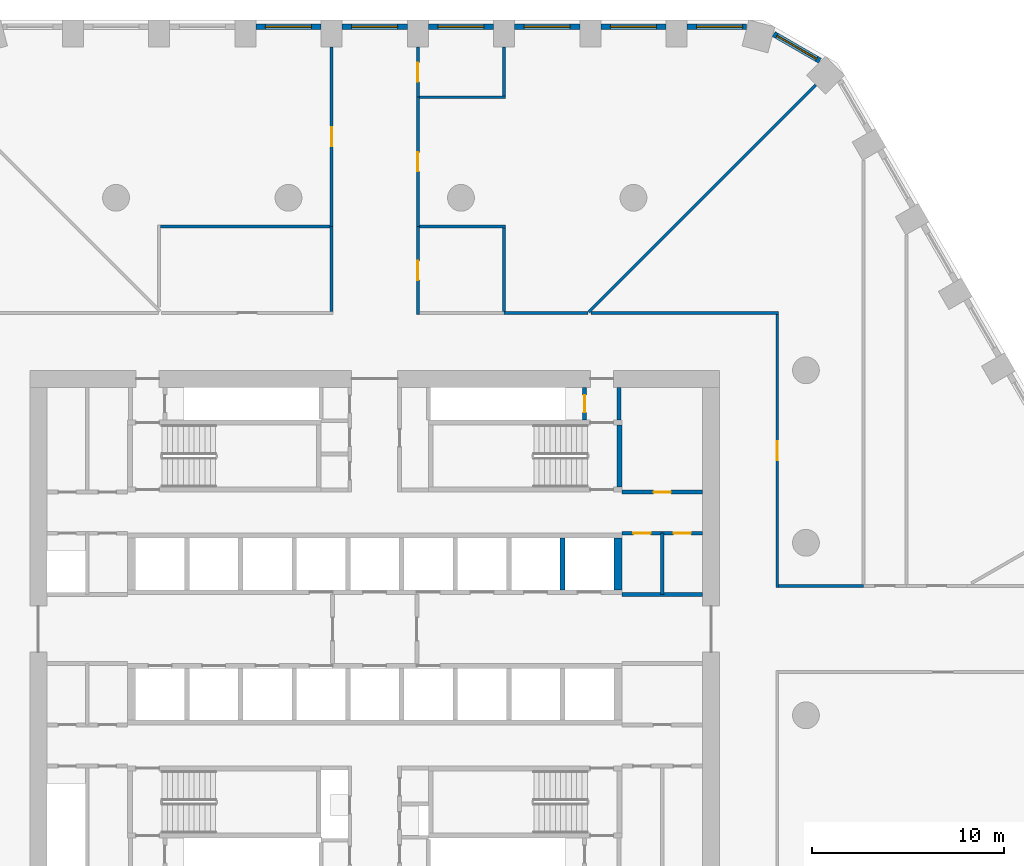
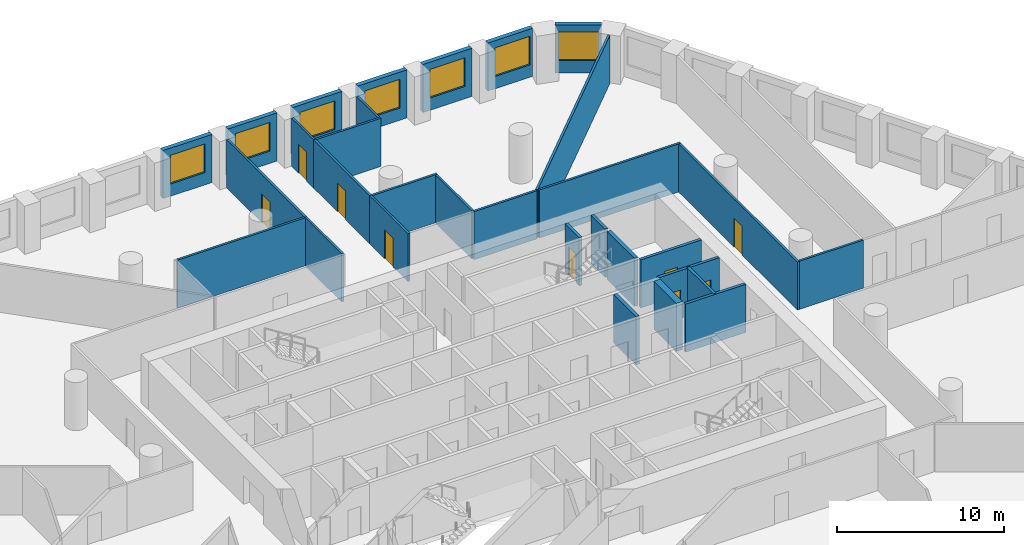
# One storey, part 7 of 10: 31 walls, 9 doors, 7 windows, 16 openings.
"""IFC4 building model written with IfcOpenShell, lengths in metres."""

from ifc_helpers import new_model, si_unit, direction, frame, frame_2d, origin, place, context, subcontext, project, spatial, polyline, rectangle, outline, extrude, material, layer, layer_set, type_object, element, fill, save


model = new_model("IFC4")

# Units and contexts
model_context = context("Model", 3, precision=1e-05, world=origin(), true_north=direction((0.0, 1.0)))
body_context = subcontext(model_context, "Body", "Model", "MODEL_VIEW")
ifc_project = project(units=[si_unit("LENGTHUNIT", "METRE"), si_unit("AREAUNIT", "SQUARE_METRE"), si_unit("VOLUMEUNIT", "CUBIC_METRE"), si_unit("PLANEANGLEUNIT", "RADIAN"), si_unit("MASSUNIT", "GRAM", prefix="KILO")], contexts=[model_context])

# Site, building, storey
site_placement = place(None, origin())
site = spatial("IfcSite", under=ifc_project, at=site_placement, CompositionType="ELEMENT")
building_placement = place(site_placement, origin())
building = spatial("IfcBuilding", under=site, at=building_placement, Name="Dhurran Vertical Campus", CompositionType="ELEMENT")
storey_placement = place(building_placement, frame((0.0, 0.0, 57.300048828125)))
storey = spatial("IfcBuildingStorey", under=building, at=storey_placement, Name="L13", CompositionType="ELEMENT", Elevation=57.300048828125)

# Wall, opening, window
ifc_material_1 = material(Name="Precast concrete C50/60", Category="concrete")
ifc_layer_1 = layer(ifc_material_1, 0.300048828125)
ifc_layer_set_1 = layer_set([ifc_layer_1], Name="Precast concrete C50/60")
wall_type_1 = type_object("IfcWallType", Name="Precast spandrel wall 300", PredefinedType="SOLIDWALL", material=ifc_layer_set_1)
wall_1_placement = place(storey_placement, frame((23.228271484375, 29.656005859375, 0.0), z_axis=(0.0, 0.0, 1.0), x_axis=(-0.866020456713, 0.500008568482, 0.0)))
wall_1 = element("IfcWall", 1, at=wall_1_placement, inside=storey, type_object=wall_type_1, Name="EW1 L13.25", PredefinedType="SOLIDWALL", context=body_context, shape_type="SweptSolid", body=[
    extrude(rectangle(XDim=2.7822265625, YDim=0.300048828125, at=frame_2d((1.39111328125, 0.0))), origin(), (0.0, 0.0, 1.0), 3.52490234375),
])
opening_1_placement = place(wall_1_placement, frame((0.191162109375, 0.0, 0.89990234375)))
opening_1 = element("IfcOpeningElement", 2, at=opening_1_placement, cuts=wall_1, Name="Opening WT1", PredefinedType="OPENING", context=body_context, shape_type="SweptSolid", body=[
    extrude(rectangle(XDim=2.39990234375, YDim=2.10009765625, at=frame_2d((1.199951171875, 1.050048828125))), frame((0.0, 0.159912109375, 0.0), z_axis=(0.0, -1.0, 0.0), x_axis=(1.0, 0.0, 0.0)), (0.0, 0.0, 1.0), 0.320068359375),
])
ifc_material_2 = material(Name="Aluminium frame with solar-control glass", Category="aluminium")
window_type = type_object("IfcWindowType", Name="Punched window 2400 x 2100", PartitioningType="SINGLE_PANEL", PredefinedType="WINDOW", material=ifc_material_2)
window_1_placement = place(opening_1_placement, origin())
window_1 = element("IfcWindow", 3, at=window_1_placement, inside=storey, type_object=window_type, Name="WT1 L13.25", OverallHeight=2.10009765625, OverallWidth=2.39990234375, PartitioningType="SINGLE_PANEL", PredefinedType="WINDOW", context=body_context, shape_type="SweptSolid", body=[
    extrude(rectangle(XDim=2.39990234375, YDim=2.10009765625, at=frame_2d((1.199951171875, 1.050048828125))), frame((0.0, 0.030029296875, 0.0), z_axis=(0.0, -1.0, 0.0), x_axis=(1.0, 0.0, 0.0)), (0.0, 0.0, 1.0), 0.06005859375),
])
fill(opening_1, window_1)

wall_2_placement = place(storey_placement, frame((19.39111328125, 31.4296875, 0.0), z_axis=(0.0, 0.0, 1.0), x_axis=(-1.0, 0.0, 0.0)))
wall_2 = element("IfcWall", 4, at=wall_2_placement, inside=storey, type_object=wall_type_1, Name="EW1 L13.26", PredefinedType="SOLIDWALL", context=body_context, shape_type="SweptSolid", body=[
    extrude(rectangle(XDim=3.090576171875, YDim=0.300048828125, at=frame_2d((1.54541015625, 0.0))), origin(), (0.0, 0.0, 1.0), 3.52490234375),
])
opening_2_placement = place(wall_2_placement, frame((0.191162109375, 0.0, 0.89990234375)))
opening_2 = element("IfcOpeningElement", 5, at=opening_2_placement, cuts=wall_2, Name="Opening WT1", PredefinedType="OPENING", context=body_context, shape_type="SweptSolid", body=[
    extrude(rectangle(XDim=2.39990234375, YDim=2.10009765625, at=frame_2d((1.199951171875, 1.050048828125))), frame((0.0, 0.159912109375, 0.0), z_axis=(0.0, -1.0, 0.0), x_axis=(1.0, 0.0, 0.0)), (0.0, 0.0, 1.0), 0.320068359375),
])
window_2_placement = place(opening_2_placement, origin())
window_2 = element("IfcWindow", 6, at=window_2_placement, inside=storey, type_object=window_type, Name="WT1 L13.26", OverallHeight=2.10009765625, OverallWidth=2.39990234375, PartitioningType="SINGLE_PANEL", PredefinedType="WINDOW", context=body_context, shape_type="SweptSolid", body=[
    extrude(rectangle(XDim=2.39990234375, YDim=2.10009765625, at=frame_2d((1.199951171875, 1.050048828125))), frame((0.0, 0.030029296875, 0.0), z_axis=(0.0, -1.0, 0.0), x_axis=(1.0, 0.0, 0.0)), (0.0, 0.0, 1.0), 0.06005859375),
])
fill(opening_2, window_2)

wall_3_placement = place(storey_placement, frame((15.199462890625, 31.4296875, 0.0), z_axis=(0.0, 0.0, 1.0), x_axis=(-1.0, 0.0, 0.0)))
wall_3 = element("IfcWall", 7, at=wall_3_placement, inside=storey, type_object=wall_type_1, Name="EW1 L13.27", PredefinedType="SOLIDWALL", context=body_context, shape_type="SweptSolid", body=[
    extrude(rectangle(XDim=3.39892578125, YDim=0.300048828125, at=frame_2d((1.699462890625, 0.0))), origin(), (0.0, 0.0, 1.0), 3.52490234375),
])
opening_3_placement = place(wall_3_placement, frame((0.49951171875, 0.0, 0.89990234375)))
opening_3 = element("IfcOpeningElement", 8, at=opening_3_placement, cuts=wall_3, Name="Opening WT1", PredefinedType="OPENING", context=body_context, shape_type="SweptSolid", body=[
    extrude(rectangle(XDim=2.39990234375, YDim=2.10009765625, at=frame_2d((1.199951171875, 1.050048828125))), frame((0.0, 0.159912109375, 0.0), z_axis=(0.0, -1.0, 0.0), x_axis=(1.0, 0.0, 0.0)), (0.0, 0.0, 1.0), 0.320068359375),
])
window_3_placement = place(opening_3_placement, origin())
window_3 = element("IfcWindow", 9, at=window_3_placement, inside=storey, type_object=window_type, Name="WT1 L13.27", OverallHeight=2.10009765625, OverallWidth=2.39990234375, PartitioningType="SINGLE_PANEL", PredefinedType="WINDOW", context=body_context, shape_type="SweptSolid", body=[
    extrude(rectangle(XDim=2.39990234375, YDim=2.10009765625, at=frame_2d((1.199951171875, 1.050048828125))), frame((0.0, 0.030029296875, 0.0), z_axis=(0.0, -1.0, 0.0), x_axis=(1.0, 0.0, 0.0)), (0.0, 0.0, 1.0), 0.06005859375),
])
fill(opening_3, window_3)

wall_4_placement = place(storey_placement, frame((10.699462890625, 31.4296875, 0.0), z_axis=(0.0, 0.0, 1.0), x_axis=(-1.0, 0.0, 0.0)))
wall_4 = element("IfcWall", 10, at=wall_4_placement, inside=storey, type_object=wall_type_1, Name="EW1 L13.28", PredefinedType="SOLIDWALL", context=body_context, shape_type="SweptSolid", body=[
    extrude(rectangle(XDim=3.39892578125, YDim=0.300048828125, at=frame_2d((1.699462890625, 0.0))), origin(), (0.0, 0.0, 1.0), 3.52490234375),
])
opening_4_placement = place(wall_4_placement, frame((0.49951171875, 0.0, 0.89990234375)))
opening_4 = element("IfcOpeningElement", 11, at=opening_4_placement, cuts=wall_4, Name="Opening WT1", PredefinedType="OPENING", context=body_context, shape_type="SweptSolid", body=[
    extrude(rectangle(XDim=2.39990234375, YDim=2.10009765625, at=frame_2d((1.199951171875, 1.050048828125))), frame((0.0, 0.159912109375, 0.0), z_axis=(0.0, -1.0, 0.0), x_axis=(1.0, 0.0, 0.0)), (0.0, 0.0, 1.0), 0.320068359375),
])
window_4_placement = place(opening_4_placement, origin())
window_4 = element("IfcWindow", 12, at=window_4_placement, inside=storey, type_object=window_type, Name="WT1 L13.28", OverallHeight=2.10009765625, OverallWidth=2.39990234375, PartitioningType="SINGLE_PANEL", PredefinedType="WINDOW", context=body_context, shape_type="SweptSolid", body=[
    extrude(rectangle(XDim=2.39990234375, YDim=2.10009765625, at=frame_2d((1.199951171875, 1.050048828125))), frame((0.0, 0.030029296875, 0.0), z_axis=(0.0, -1.0, 0.0), x_axis=(1.0, 0.0, 0.0)), (0.0, 0.0, 1.0), 0.06005859375),
])
fill(opening_4, window_4)

wall_5_placement = place(storey_placement, frame((6.199462890625, 31.4296875, 0.0), z_axis=(0.0, 0.0, 1.0), x_axis=(-1.0, 0.0, 0.0)))
wall_5 = element("IfcWall", 13, at=wall_5_placement, inside=storey, type_object=wall_type_1, Name="EW1 L13.29", PredefinedType="SOLIDWALL", context=body_context, shape_type="SweptSolid", body=[
    extrude(rectangle(XDim=3.39892578125, YDim=0.300048828125, at=frame_2d((1.699462890625, 0.0))), origin(), (0.0, 0.0, 1.0), 3.52490234375),
])
opening_5_placement = place(wall_5_placement, frame((0.49951171875, 0.0, 0.89990234375)))
opening_5 = element("IfcOpeningElement", 14, at=opening_5_placement, cuts=wall_5, Name="Opening WT1", PredefinedType="OPENING", context=body_context, shape_type="SweptSolid", body=[
    extrude(rectangle(XDim=2.39990234375, YDim=2.10009765625, at=frame_2d((1.199951171875, 1.050048828125))), frame((0.0, 0.159912109375, 0.0), z_axis=(0.0, -1.0, 0.0), x_axis=(1.0, 0.0, 0.0)), (0.0, 0.0, 1.0), 0.320068359375),
])
window_5_placement = place(opening_5_placement, origin())
window_5 = element("IfcWindow", 15, at=window_5_placement, inside=storey, type_object=window_type, Name="WT1 L13.29", OverallHeight=2.10009765625, OverallWidth=2.39990234375, PartitioningType="SINGLE_PANEL", PredefinedType="WINDOW", context=body_context, shape_type="SweptSolid", body=[
    extrude(rectangle(XDim=2.39990234375, YDim=2.10009765625, at=frame_2d((1.199951171875, 1.050048828125))), frame((0.0, 0.030029296875, 0.0), z_axis=(0.0, -1.0, 0.0), x_axis=(1.0, 0.0, 0.0)), (0.0, 0.0, 1.0), 0.06005859375),
])
fill(opening_5, window_5)

wall_6_placement = place(storey_placement, frame((1.699462890625, 31.4296875, 0.0), z_axis=(0.0, 0.0, 1.0), x_axis=(-1.0, 0.0, 0.0)))
wall_6 = element("IfcWall", 16, at=wall_6_placement, inside=storey, type_object=wall_type_1, Name="EW1 L13.30", PredefinedType="SOLIDWALL", context=body_context, shape_type="SweptSolid", body=[
    extrude(rectangle(XDim=3.39892578125, YDim=0.300048828125, at=frame_2d((1.699462890625, 0.0))), origin(), (0.0, 0.0, 1.0), 3.52490234375),
])
opening_6_placement = place(wall_6_placement, frame((0.49951171875, 0.0, 0.89990234375)))
opening_6 = element("IfcOpeningElement", 17, at=opening_6_placement, cuts=wall_6, Name="Opening WT1", PredefinedType="OPENING", context=body_context, shape_type="SweptSolid", body=[
    extrude(rectangle(XDim=2.39990234375, YDim=2.10009765625, at=frame_2d((1.199951171875, 1.050048828125))), frame((0.0, 0.159912109375, 0.0), z_axis=(0.0, -1.0, 0.0), x_axis=(1.0, 0.0, 0.0)), (0.0, 0.0, 1.0), 0.320068359375),
])
window_6_placement = place(opening_6_placement, origin())
window_6 = element("IfcWindow", 18, at=window_6_placement, inside=storey, type_object=window_type, Name="WT1 L13.30", OverallHeight=2.10009765625, OverallWidth=2.39990234375, PartitioningType="SINGLE_PANEL", PredefinedType="WINDOW", context=body_context, shape_type="SweptSolid", body=[
    extrude(rectangle(XDim=2.39990234375, YDim=2.10009765625, at=frame_2d((1.199951171875, 1.050048828125))), frame((0.0, 0.030029296875, 0.0), z_axis=(0.0, -1.0, 0.0), x_axis=(1.0, 0.0, 0.0)), (0.0, 0.0, 1.0), 0.06005859375),
])
fill(opening_6, window_6)

wall_7_placement = place(storey_placement, frame((-2.800537109375, 31.4296875, 0.0), z_axis=(0.0, 0.0, 1.0), x_axis=(-1.0, 0.0, 0.0)))
wall_7 = element("IfcWall", 19, at=wall_7_placement, inside=storey, type_object=wall_type_1, Name="EW1 L13.31", PredefinedType="SOLIDWALL", context=body_context, shape_type="SweptSolid", body=[
    extrude(rectangle(XDim=3.39892578125, YDim=0.300048828125, at=frame_2d((1.699462890625, 0.0))), origin(), (0.0, 0.0, 1.0), 3.52490234375),
])
opening_7_placement = place(wall_7_placement, frame((0.49951171875, 0.0, 0.89990234375)))
opening_7 = element("IfcOpeningElement", 20, at=opening_7_placement, cuts=wall_7, Name="Opening WT1", PredefinedType="OPENING", context=body_context, shape_type="SweptSolid", body=[
    extrude(rectangle(XDim=2.39990234375, YDim=2.10009765625, at=frame_2d((1.199951171875, 1.050048828125))), frame((0.0, 0.159912109375, 0.0), z_axis=(0.0, -1.0, 0.0), x_axis=(1.0, 0.0, 0.0)), (0.0, 0.0, 1.0), 0.320068359375),
])
window_7_placement = place(opening_7_placement, origin())
window_7 = element("IfcWindow", 21, at=window_7_placement, inside=storey, type_object=window_type, Name="WT1 L13.31", OverallHeight=2.10009765625, OverallWidth=2.39990234375, PartitioningType="SINGLE_PANEL", PredefinedType="WINDOW", context=body_context, shape_type="SweptSolid", body=[
    extrude(rectangle(XDim=2.39990234375, YDim=2.10009765625, at=frame_2d((1.199951171875, 1.050048828125))), frame((0.0, 0.030029296875, 0.0), z_axis=(0.0, -1.0, 0.0), x_axis=(1.0, 0.0, 0.0)), (0.0, 0.0, 1.0), 0.06005859375),
])
fill(opening_7, window_7)

# Wall
ifc_material_3 = material(Name="Fire-rated masonry blockwork", Category="masonry")
ifc_layer_2 = layer(ifc_material_3, 0.199951171875)
ifc_layer_set_2 = layer_set([ifc_layer_2], Name="Fire-rated masonry blockwork")
wall_type_2 = type_object("IfcWallType", Name="co-FIRE-PARTITION-200", PredefinedType="PARTITIONING", material=ifc_layer_set_2)
wall_8_placement = place(storey_placement, frame((12.75, 10.89990234375, 0.0), z_axis=(0.0, 0.0, 1.0), x_axis=(0.0, 1.0, 0.0)))
element("IfcWall", 22, at=wall_8_placement, inside=storey, type_object=wall_type_2, Name="Core partition pass-ST2-o L13", PredefinedType="PARTITIONING", context=body_context, shape_type="SweptSolid", body=[
    extrude(rectangle(XDim=1.7001953125, YDim=0.199951171875, at=frame_2d((0.85009765625, 0.0))), origin(), (0.0, 0.0, 1.0), 3.52490234375),
])

# Wall, opening, door
wall_9_placement = place(storey_placement, frame((10.949951171875, 10.89990234375, 0.0), z_axis=(0.0, 0.0, 1.0), x_axis=(0.0, 1.0, 0.0)))
wall_9 = element("IfcWall", 23, at=wall_9_placement, inside=storey, type_object=wall_type_2, Name="Core partition pass-ST2-i L13", PredefinedType="PARTITIONING", context=body_context, shape_type="SweptSolid", body=[
    extrude(rectangle(XDim=1.7001953125, YDim=0.199951171875, at=frame_2d((0.85009765625, 0.0))), origin(), (0.0, 0.0, 1.0), 3.52490234375),
])
opening_8_placement = place(wall_9_placement, frame((0.39990234375, 0.0, 0.0)))
opening_8 = element("IfcOpeningElement", 24, at=opening_8_placement, cuts=wall_9, Name="Opening T03-C11", PredefinedType="OPENING", context=body_context, shape_type="SweptSolid", body=[
    extrude(rectangle(XDim=0.89990234375, YDim=2.10009765625, at=frame_2d((0.449951171875, 1.050048828125))), frame((0.0, 0.10986328125, 0.0), z_axis=(0.0, -1.0, 0.0), x_axis=(1.0, 0.0, 0.0)), (0.0, 0.0, 1.0), 0.219970703125),
])
ifc_material_4 = material(Name="Fire-rated timber door set", Category="wood")
door_type_1 = type_object("IfcDoorType", Name="co-D-ROOM 900x2100", OperationType="SINGLE_SWING_LEFT", PredefinedType="DOOR", material=ifc_material_4)
door_1_placement = place(opening_8_placement, origin())
door_1 = element("IfcDoor", 25, at=door_1_placement, inside=storey, type_object=door_type_1, Name="Riser room door L13", OperationType="SINGLE_SWING_LEFT", OverallHeight=2.10009765625, OverallWidth=0.89990234375, PredefinedType="DOOR", context=body_context, shape_type="SweptSolid", body=[
    extrude(rectangle(XDim=0.89990234375, YDim=2.10009765625, at=frame_2d((0.449951171875, 1.050048828125))), frame((0.0, 0.02490234375, 0.0), z_axis=(0.0, -1.0, 0.0), x_axis=(1.0, 0.0, 0.0)), (0.0, 0.0, 1.0), 0.050048828125),
])
fill(opening_8, door_1)

wall_10_placement = place(storey_placement, frame((12.89990234375, 7.14990234375, 0.0), z_axis=(0.0, 0.0, 1.0), x_axis=(1.0, 0.0, 0.0)))
wall_10 = element("IfcWall", 26, at=wall_10_placement, inside=storey, type_object=wall_type_2, Name="Core partition en-NE-w L13", PredefinedType="PARTITIONING", context=body_context, shape_type="SweptSolid", body=[
    extrude(rectangle(XDim=4.2001953125, YDim=0.199951171875, at=frame_2d((2.10009765625, 0.0))), origin(), (0.0, 0.0, 1.0), 3.52490234375),
])
opening_9_placement = place(wall_10_placement, frame((1.64990234375, 0.0, 0.0)))
opening_9 = element("IfcOpeningElement", 27, at=opening_9_placement, cuts=wall_10, Name="Opening T03-C18", PredefinedType="OPENING", context=body_context, shape_type="SweptSolid", body=[
    extrude(rectangle(XDim=0.89990234375, YDim=2.10009765625, at=frame_2d((0.449951171875, 1.050048828125))), frame((0.0, 0.10986328125, 0.0), z_axis=(0.0, -1.0, 0.0), x_axis=(1.0, 0.0, 0.0)), (0.0, 0.0, 1.0), 0.219970703125),
])
door_2_placement = place(opening_9_placement, origin())
door_2 = element("IfcDoor", 28, at=door_2_placement, inside=storey, type_object=door_type_1, Name="Pantry door L13", OperationType="SINGLE_SWING_LEFT", OverallHeight=2.10009765625, OverallWidth=0.89990234375, PredefinedType="DOOR", context=body_context, shape_type="SweptSolid", body=[
    extrude(rectangle(XDim=0.89990234375, YDim=2.10009765625, at=frame_2d((0.449951171875, 1.050048828125))), frame((0.0, 0.02490234375, 0.0), z_axis=(0.0, -1.0, 0.0), x_axis=(1.0, 0.0, 0.0)), (0.0, 0.0, 1.0), 0.050048828125),
])
fill(opening_9, door_2)

# Wall
wall_11_placement = place(storey_placement, frame((15.0, 1.800048828125, 0.0), z_axis=(0.0, 0.0, 1.0), x_axis=(0.0, 1.0, 0.0)))
element("IfcWall", 29, at=wall_11_placement, inside=storey, type_object=wall_type_2, Name="Core partition es-NE-cut0 L13", PredefinedType="PARTITIONING", context=body_context, shape_type="SweptSolid", body=[
    extrude(rectangle(XDim=3.199951171875, YDim=0.199951171875, at=frame_2d((1.60009765625, 0.0))), origin(), (0.0, 0.0, 1.0), 3.52490234375),
])

# Wall, openings, doors
wall_12_placement = place(storey_placement, frame((12.89990234375, 5.0, 0.0), z_axis=(0.0, 0.0, 1.0), x_axis=(1.0, 0.0, 0.0)))
wall_12 = element("IfcWall", 30, at=wall_12_placement, inside=storey, type_object=wall_type_2, Name="Core partition es-NE-w L13", PredefinedType="PARTITIONING", context=body_context, shape_type="SweptSolid", body=[
    extrude(rectangle(XDim=4.2001953125, YDim=0.199951171875, at=frame_2d((2.10009765625, 0.0))), origin(), (0.0, 0.0, 1.0), 3.52490234375),
])
opening_10_placement = place(wall_12_placement, frame((0.60009765625, 0.0, 0.0)))
opening_10 = element("IfcOpeningElement", 31, at=opening_10_placement, cuts=wall_12, Name="Opening T03-C19", PredefinedType="OPENING", context=body_context, shape_type="SweptSolid", body=[
    extrude(rectangle(XDim=0.89990234375, YDim=2.10009765625, at=frame_2d((0.449951171875, 1.050048828125))), frame((0.0, 0.10986328125, 0.0), z_axis=(0.0, -1.0, 0.0), x_axis=(1.0, 0.0, 0.0)), (0.0, 0.0, 1.0), 0.219970703125),
])
opening_11_placement = place(wall_12_placement, frame((2.699951171875, 0.0, 0.0)))
opening_11 = element("IfcOpeningElement", 32, at=opening_11_placement, cuts=wall_12, Name="Opening T03-C20", PredefinedType="OPENING", context=body_context, shape_type="SweptSolid", body=[
    extrude(rectangle(XDim=0.89990234375, YDim=2.10009765625, at=frame_2d((0.449951171875, 1.050048828125))), frame((0.0, 0.10986328125, 0.0), z_axis=(0.0, -1.0, 0.0), x_axis=(1.0, 0.0, 0.0)), (0.0, 0.0, 1.0), 0.219970703125),
])
door_3_placement = place(opening_10_placement, origin())
door_3 = element("IfcDoor", 33, at=door_3_placement, inside=storey, type_object=door_type_1, Name="Store door L13", OperationType="SINGLE_SWING_LEFT", OverallHeight=2.10009765625, OverallWidth=0.89990234375, PredefinedType="DOOR", context=body_context, shape_type="SweptSolid", body=[
    extrude(rectangle(XDim=0.89990234375, YDim=2.10009765625, at=frame_2d((0.449951171875, 1.050048828125))), frame((0.0, 0.02490234375, 0.0), z_axis=(0.0, -1.0, 0.0), x_axis=(1.0, 0.0, 0.0)), (0.0, 0.0, 1.0), 0.050048828125),
])
fill(opening_10, door_3)
door_4_placement = place(opening_11_placement, origin())
door_4 = element("IfcDoor", 34, at=door_4_placement, inside=storey, type_object=door_type_1, Name="Pantry door L13", OperationType="SINGLE_SWING_LEFT", OverallHeight=2.10009765625, OverallWidth=0.89990234375, PredefinedType="DOOR", context=body_context, shape_type="SweptSolid", body=[
    extrude(rectangle(XDim=0.89990234375, YDim=2.10009765625, at=frame_2d((0.449951171875, 1.050048828125))), frame((0.0, 0.02490234375, 0.0), z_axis=(0.0, -1.0, 0.0), x_axis=(1.0, 0.0, 0.0)), (0.0, 0.0, 1.0), 0.050048828125),
])
fill(opening_11, door_4)

# Walls
wall_13_placement = place(storey_placement, frame((12.89990234375, 1.800048828125, 0.0), z_axis=(0.0, 0.0, 1.0), x_axis=(1.0, 0.0, 0.0)))
element("IfcWall", 35, at=wall_13_placement, inside=storey, type_object=wall_type_2, Name="Core partition es-NE-l L13", PredefinedType="PARTITIONING", context=body_context, shape_type="SweptSolid", body=[
    extrude(rectangle(XDim=4.2001953125, YDim=0.199951171875, at=frame_2d((2.10009765625, 0.0))), origin(), (0.0, 0.0, 1.0), 3.52490234375),
])
ifc_material_5 = material(Name="Concrete C50/60", Category="concrete")
ifc_layer_3 = layer(ifc_material_5, 0.25)
ifc_layer_set_3 = layer_set([ifc_layer_3], Name="Concrete C50/60")
wall_type_3 = type_object("IfcWallType", Name="co-SHAFT-MASS-250", PredefinedType="SHEAR", material=ifc_layer_set_3)
wall_14_placement = place(storey_placement, origin())
element("IfcWall", 36, at=wall_14_placement, inside=storey, type_object=wall_type_3, Name="Lift shaft wall N L13 10", PredefinedType="SHEAR", context=body_context, shape_type="SweptSolid", body=[
    extrude(outline(polyline([(9.675048828125, 2.050048828125), (9.925048828125, 2.050048828125), (9.925048828125, 4.75), (9.675048828125, 4.75), (9.675048828125, 2.050048828125)])), origin(), (0.0, 0.0, 1.0), 3.52490234375),
])
wall_15_placement = place(storey_placement, origin())
element("IfcWall", 37, at=wall_15_placement, inside=storey, type_object=wall_type_3, Name="Lift shaft wall N L13 11", PredefinedType="SHEAR", context=body_context, shape_type="SweptSolid", body=[
    extrude(outline(polyline([(12.47509765625, 2.050048828125), (12.89990234375, 2.050048828125), (12.89990234375, 4.75), (12.47509765625, 4.75), (12.47509765625, 2.050048828125)])), origin(), (0.0, 0.0, 1.0), 3.52490234375),
])
ifc_material_6 = material(Name="Concrete C40/50", Category="concrete")
ifc_layer_4 = layer(ifc_material_6, 0.25)
ifc_layer_set_4 = layer_set([ifc_layer_4], Name="Concrete C40/50")
wall_type_4 = type_object("IfcWallType", Name="co-STAIR-WALL-250", PredefinedType="SHEAR", material=ifc_layer_set_4)
wall_16_placement = place(storey_placement, frame((12.77490234375, 7.39990234375, 0.0), z_axis=(0.0, 0.0, 1.0), x_axis=(0.0, 1.0, 0.0)))
element("IfcWall", 38, at=wall_16_placement, inside=storey, type_object=wall_type_4, Name="Stair ST2 enclosure wall L13", PredefinedType="SHEAR", context=body_context, shape_type="SweptSolid", body=[
    extrude(rectangle(XDim=3.25, YDim=0.25, at=frame_2d((1.625, 0.0))), origin(), (0.0, 0.0, 1.0), 3.52490234375),
])
ifc_material_7 = material(Name="Gypsum board corridor wall on steel studs", Category="steel")
ifc_layer_5 = layer(ifc_material_7, 0.14990234375)
ifc_layer_set_5 = layer_set([ifc_layer_5], Name="Gypsum board corridor wall on steel studs")
wall_type_5 = type_object("IfcWallType", Name="fl-CW-150 corridor wall", PredefinedType="PARTITIONING", material=ifc_layer_set_5)
wall_17_placement = place(storey_placement, frame((-2.25, 16.574951171875, 0.0), z_axis=(0.0, 0.0, 1.0), x_axis=(0.0, 1.0, 0.0)))
element("IfcWall", 39, at=wall_17_placement, inside=storey, type_object=wall_type_5, Name="Partition 13-22", PredefinedType="PARTITIONING", context=body_context, shape_type="SweptSolid", body=[
    extrude(rectangle(XDim=4.425048828125, YDim=0.14990234375, at=frame_2d((2.21240234375, 0.0))), origin(), (0.0, 0.0, 1.0), 3.52490234375),
])

# Wall, opening, door
wall_18_placement = place(storey_placement, frame((-2.25, 21.0, 0.0), z_axis=(0.0, 0.0, 1.0), x_axis=(0.0, 1.0, 0.0)))
wall_18 = element("IfcWall", 40, at=wall_18_placement, inside=storey, type_object=wall_type_5, Name="Partition 13-23", PredefinedType="PARTITIONING", context=body_context, shape_type="SweptSolid", body=[
    extrude(rectangle(XDim=9.35986328125, YDim=0.14990234375, at=frame_2d((4.679931640625, 0.0))), origin(), (0.0, 0.0, 1.0), 3.52490234375),
])
opening_12_placement = place(wall_18_placement, frame((4.179931640625, 0.0, 0.0)))
opening_12 = element("IfcOpeningElement", 41, at=opening_12_placement, cuts=wall_18, Name="Opening T03.06", PredefinedType="OPENING", context=body_context, shape_type="SweptSolid", body=[
    extrude(rectangle(XDim=1.0, YDim=2.10009765625, at=frame_2d((0.5, 1.050048828125))), frame((0.0, 0.0849609375, 0.0), z_axis=(0.0, -1.0, 0.0), x_axis=(1.0, 0.0, 0.0)), (0.0, 0.0, 1.0), 0.169921875),
])
ifc_material_8 = material(Name="Solid-core timber door set, fire-rated", Category="wood")
door_type_2 = type_object("IfcDoorType", Name="fl-D-1000x2100", OperationType="SINGLE_SWING_LEFT", PredefinedType="DOOR", material=ifc_material_8)
door_5_placement = place(opening_12_placement, origin())
door_5 = element("IfcDoor", 42, at=door_5_placement, inside=storey, type_object=door_type_2, Name="Door 13.06", OperationType="SINGLE_SWING_LEFT", OverallHeight=2.10009765625, OverallWidth=1.0, PredefinedType="DOOR", context=body_context, shape_type="SweptSolid", body=[
    extrude(rectangle(XDim=1.0, YDim=2.10009765625, at=frame_2d((0.5, 1.050048828125))), frame((0.0, 0.02490234375, 0.0), z_axis=(0.0, -1.0, 0.0), x_axis=(1.0, 0.0, 0.0)), (0.0, 0.0, 1.0), 0.050048828125),
])
fill(opening_12, door_5)

wall_19_placement = place(storey_placement, frame((2.25, 21.0, 0.0), z_axis=(0.0, 0.0, 1.0), x_axis=(0.0, -1.0, 0.0)))
wall_19 = element("IfcWall", 43, at=wall_19_placement, inside=storey, type_object=wall_type_5, Name="Partition 13-26", PredefinedType="PARTITIONING", context=body_context, shape_type="SweptSolid", body=[
    extrude(rectangle(XDim=4.574951171875, YDim=0.14990234375, at=frame_2d((2.28759765625, 0.0))), origin(), (0.0, 0.0, 1.0), 3.52490234375),
])
opening_13_placement = place(wall_19_placement, frame((1.78759765625, 0.0, 0.0)))
opening_13 = element("IfcOpeningElement", 44, at=opening_13_placement, cuts=wall_19, Name="Opening T03.09", PredefinedType="OPENING", context=body_context, shape_type="SweptSolid", body=[
    extrude(rectangle(XDim=1.0, YDim=2.10009765625, at=frame_2d((0.5, 1.050048828125))), frame((0.0, 0.0849609375, 0.0), z_axis=(0.0, -1.0, 0.0), x_axis=(1.0, 0.0, 0.0)), (0.0, 0.0, 1.0), 0.169921875),
])
door_6_placement = place(opening_13_placement, origin())
door_6 = element("IfcDoor", 45, at=door_6_placement, inside=storey, type_object=door_type_2, Name="Door 13.09", OperationType="SINGLE_SWING_LEFT", OverallHeight=2.10009765625, OverallWidth=1.0, PredefinedType="DOOR", context=body_context, shape_type="SweptSolid", body=[
    extrude(rectangle(XDim=1.0, YDim=2.10009765625, at=frame_2d((0.5, 1.050048828125))), frame((0.0, 0.02490234375, 0.0), z_axis=(0.0, -1.0, 0.0), x_axis=(1.0, 0.0, 0.0)), (0.0, 0.0, 1.0), 0.050048828125),
])
fill(opening_13, door_6)

wall_20_placement = place(storey_placement, frame((2.25, 27.75, 0.0), z_axis=(0.0, 0.0, 1.0), x_axis=(0.0, -1.0, 0.0)))
wall_20 = element("IfcWall", 46, at=wall_20_placement, inside=storey, type_object=wall_type_5, Name="Partition 13-28", PredefinedType="PARTITIONING", context=body_context, shape_type="SweptSolid", body=[
    extrude(rectangle(XDim=6.75, YDim=0.14990234375, at=frame_2d((3.375, 0.0))), origin(), (0.0, 0.0, 1.0), 3.52490234375),
])
opening_14_placement = place(wall_20_placement, frame((2.875, 0.0, 0.0)))
opening_14 = element("IfcOpeningElement", 47, at=opening_14_placement, cuts=wall_20, Name="Opening T03.12", PredefinedType="OPENING", context=body_context, shape_type="SweptSolid", body=[
    extrude(rectangle(XDim=1.0, YDim=2.10009765625, at=frame_2d((0.5, 1.050048828125))), frame((0.0, 0.0849609375, 0.0), z_axis=(0.0, -1.0, 0.0), x_axis=(1.0, 0.0, 0.0)), (0.0, 0.0, 1.0), 0.169921875),
])
door_7_placement = place(opening_14_placement, origin())
door_7 = element("IfcDoor", 48, at=door_7_placement, inside=storey, type_object=door_type_2, Name="Door 13.12", OperationType="SINGLE_SWING_RIGHT", OverallHeight=2.10009765625, OverallWidth=1.0, PredefinedType="DOOR", context=body_context, shape_type="SweptSolid", body=[
    extrude(rectangle(XDim=1.0, YDim=2.10009765625, at=frame_2d((0.5, 1.050048828125))), frame((0.0, 0.02490234375, 0.0), z_axis=(0.0, -1.0, 0.0), x_axis=(1.0, 0.0, 0.0)), (0.0, 0.0, 1.0), 0.050048828125),
])
fill(opening_14, door_7)

wall_21_placement = place(storey_placement, frame((2.25, 30.35986328125, 0.0), z_axis=(0.0, 0.0, 1.0), x_axis=(0.0, -1.0, 0.0)))
wall_21 = element("IfcWall", 49, at=wall_21_placement, inside=storey, type_object=wall_type_5, Name="Partition 13-30", PredefinedType="PARTITIONING", context=body_context, shape_type="SweptSolid", body=[
    extrude(rectangle(XDim=2.60986328125, YDim=0.14990234375, at=frame_2d((1.304931640625, 0.0))), origin(), (0.0, 0.0, 1.0), 3.52490234375),
])
opening_15_placement = place(wall_21_placement, frame((0.804931640625, 0.0, 0.0)))
opening_15 = element("IfcOpeningElement", 50, at=opening_15_placement, cuts=wall_21, Name="Opening T03.10", PredefinedType="OPENING", context=body_context, shape_type="SweptSolid", body=[
    extrude(rectangle(XDim=1.0, YDim=2.10009765625, at=frame_2d((0.5, 1.050048828125))), frame((0.0, 0.0849609375, 0.0), z_axis=(0.0, -1.0, 0.0), x_axis=(1.0, 0.0, 0.0)), (0.0, 0.0, 1.0), 0.169921875),
])
door_8_placement = place(opening_15_placement, origin())
door_8 = element("IfcDoor", 51, at=door_8_placement, inside=storey, type_object=door_type_2, Name="Door 13.10", OperationType="SINGLE_SWING_RIGHT", OverallHeight=2.10009765625, OverallWidth=1.0, PredefinedType="DOOR", context=body_context, shape_type="SweptSolid", body=[
    extrude(rectangle(XDim=1.0, YDim=2.10009765625, at=frame_2d((0.5, 1.050048828125))), frame((0.0, 0.02490234375, 0.0), z_axis=(0.0, -1.0, 0.0), x_axis=(1.0, 0.0, 0.0)), (0.0, 0.0, 1.0), 0.050048828125),
])
fill(opening_15, door_8)

# Walls
wall_22_placement = place(storey_placement, frame((11.116943359375, 16.5, 0.0), z_axis=(0.0, 0.0, 1.0), x_axis=(-1.0, 0.0, 0.0)))
element("IfcWall", 52, at=wall_22_placement, inside=storey, type_object=wall_type_5, Name="Partition 13-33", PredefinedType="PARTITIONING", context=body_context, shape_type="SweptSolid", body=[
    extrude(rectangle(XDim=4.366943359375, YDim=0.14990234375, at=frame_2d((2.18359375, 0.0))), origin(), (0.0, 0.0, 1.0), 3.52490234375),
])
wall_23_placement = place(storey_placement, frame((21.074951171875, 16.5, 0.0), z_axis=(0.0, 0.0, 1.0), x_axis=(-1.0, 0.0, 0.0)))
element("IfcWall", 53, at=wall_23_placement, inside=storey, type_object=wall_type_5, Name="Partition 13-35", PredefinedType="PARTITIONING", context=body_context, shape_type="SweptSolid", body=[
    extrude(rectangle(XDim=9.782958984375, YDim=0.14990234375, at=frame_2d((4.8916015625, 0.0))), origin(), (0.0, 0.0, 1.0), 3.52490234375),
])

# Wall, opening, door
wall_24_placement = place(storey_placement, frame((21.0, 2.175048828125, 0.0), z_axis=(0.0, 0.0, 1.0), x_axis=(0.0, 1.0, 0.0)))
wall_24 = element("IfcWall", 54, at=wall_24_placement, inside=storey, type_object=wall_type_5, Name="Partition 13-43", PredefinedType="PARTITIONING", context=body_context, shape_type="SweptSolid", body=[
    extrude(rectangle(XDim=14.25, YDim=0.14990234375, at=frame_2d((7.125, 0.0))), origin(), (0.0, 0.0, 1.0), 3.52490234375),
])
opening_16_placement = place(wall_24_placement, frame((6.625, 0.0, 0.0)))
opening_16 = element("IfcOpeningElement", 55, at=opening_16_placement, cuts=wall_24, Name="Opening T03.14", PredefinedType="OPENING", context=body_context, shape_type="SweptSolid", body=[
    extrude(rectangle(XDim=1.0, YDim=2.10009765625, at=frame_2d((0.5, 1.050048828125))), frame((0.0, 0.0849609375, 0.0), z_axis=(0.0, -1.0, 0.0), x_axis=(1.0, 0.0, 0.0)), (0.0, 0.0, 1.0), 0.169921875),
])
door_9_placement = place(opening_16_placement, origin())
door_9 = element("IfcDoor", 56, at=door_9_placement, inside=storey, type_object=door_type_2, Name="Door 13.14", OperationType="SINGLE_SWING_LEFT", OverallHeight=2.10009765625, OverallWidth=1.0, PredefinedType="DOOR", context=body_context, shape_type="SweptSolid", body=[
    extrude(rectangle(XDim=1.0, YDim=2.10009765625, at=frame_2d((0.5, 1.050048828125))), frame((0.0, 0.02490234375, 0.0), z_axis=(0.0, -1.0, 0.0), x_axis=(1.0, 0.0, 0.0)), (0.0, 0.0, 1.0), 0.050048828125),
])
fill(opening_16, door_9)

# Walls
wall_25_placement = place(storey_placement, frame((21.074951171875, 2.25, 0.0), z_axis=(0.0, 0.0, 1.0), x_axis=(1.0, 0.0, 0.0)))
element("IfcWall", 57, at=wall_25_placement, inside=storey, type_object=wall_type_5, Name="Partition 13-44", PredefinedType="PARTITIONING", context=body_context, shape_type="SweptSolid", body=[
    extrude(rectangle(XDim=4.425048828125, YDim=0.14990234375, at=frame_2d((2.21240234375, 0.0))), origin(), (0.0, 0.0, 1.0), 3.52490234375),
])
ifc_material_9 = material(Name="Gypsum board partition on steel studs", Category="steel")
ifc_layer_6 = layer(ifc_material_9, 0.14990234375)
ifc_layer_set_6 = layer_set([ifc_layer_6], Name="Gypsum board partition on steel studs")
wall_type_6 = type_object("IfcWallType", Name="fl-PW-150 fixed partition", PredefinedType="PARTITIONING", material=ifc_layer_set_6)
wall_26_placement = place(storey_placement, frame((-2.324951171875, 21.0, 0.0), z_axis=(0.0, 0.0, 1.0), x_axis=(-1.0, 0.0, 0.0)))
element("IfcWall", 58, at=wall_26_placement, inside=storey, type_object=wall_type_6, Name="Partition 13-20", PredefinedType="PARTITIONING", context=body_context, shape_type="SweptSolid", body=[
    extrude(rectangle(XDim=8.85009765625, YDim=0.14990234375, at=frame_2d((4.425048828125, 0.0))), origin(), (0.0, 0.0, 1.0), 3.52490234375),
])
for number, where, z_axis, x_axis, name in (
    (59, (2.324951171875, 21.0, 0.0), (0.0, 0.0, 1.0), (1.0, 0.0, 0.0), "Partition 13-29"),
    (60, (6.824951171875, 27.75, 0.0), (0.0, 0.0, 1.0), (-1.0, 0.0, 0.0), "Partition 13-31"),
):
    element("IfcWall", number, at=place(storey_placement, frame(where, z_axis=z_axis, x_axis=x_axis)), inside=storey, type_object=wall_type_6, Name=name, PredefinedType="PARTITIONING", context=body_context, shape_type="SweptSolid", body=[
        extrude(rectangle(XDim=4.5, YDim=0.14990234375, at=frame_2d((2.25, 0.0))), origin(), (0.0, 0.0, 1.0), 3.52490234375),
    ])
wall_27_placement = place(storey_placement, frame((6.75, 20.925048828125, 0.0), z_axis=(0.0, 0.0, 1.0), x_axis=(0.0, -1.0, 0.0)))
element("IfcWall", 61, at=wall_27_placement, inside=storey, type_object=wall_type_6, Name="Partition 13-32", PredefinedType="PARTITIONING", context=body_context, shape_type="SweptSolid", body=[
    extrude(rectangle(XDim=4.35009765625, YDim=0.14990234375, at=frame_2d((2.175048828125, 0.0))), origin(), (0.0, 0.0, 1.0), 3.52490234375),
])
wall_28_placement = place(storey_placement, frame((6.75, 30.35986328125, 0.0), z_axis=(0.0, 0.0, 1.0), x_axis=(0.0, -1.0, 0.0)))
element("IfcWall", 62, at=wall_28_placement, inside=storey, type_object=wall_type_6, Name="Partition 13-34", PredefinedType="PARTITIONING", context=body_context, shape_type="SweptSolid", body=[
    extrude(rectangle(XDim=2.534912109375, YDim=0.14990234375, at=frame_2d((1.267578125, 0.0))), origin(), (0.0, 0.0, 1.0), 3.52490234375),
])
wall_29_placement = place(storey_placement, frame((23.01025390625, 28.393310546875, 0.0), z_axis=(0.0, 0.0, 1.0), x_axis=(-0.707106781187, -0.707106781187, 0.0)))
element("IfcWall", 63, at=wall_29_placement, inside=storey, type_object=wall_type_6, Name="Partition 13-36", PredefinedType="PARTITIONING", context=body_context, shape_type="SweptSolid", body=[
    extrude(rectangle(XDim=16.744873046875, YDim=0.14990234375, at=frame_2d((8.37255859375, 0.0))), origin(), (0.0, 0.0, 1.0), 3.52490234375),
])

save(model, "model.ifc")
